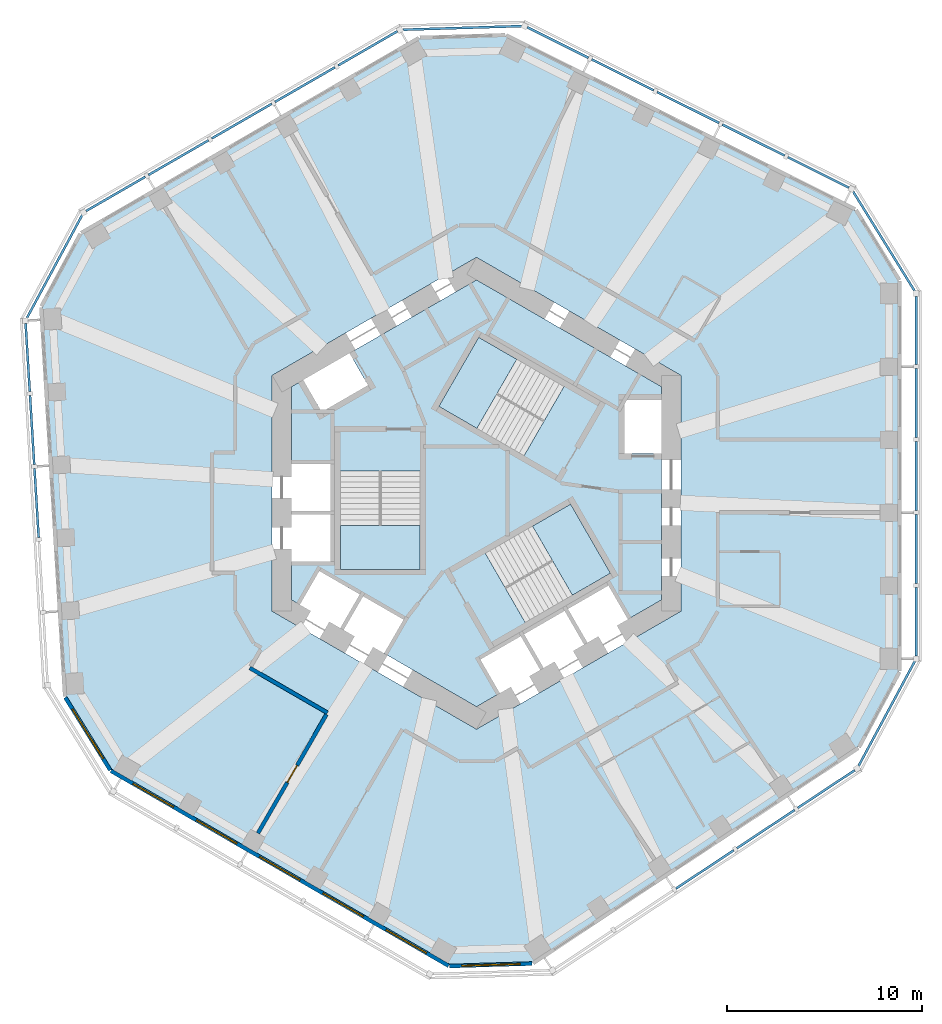
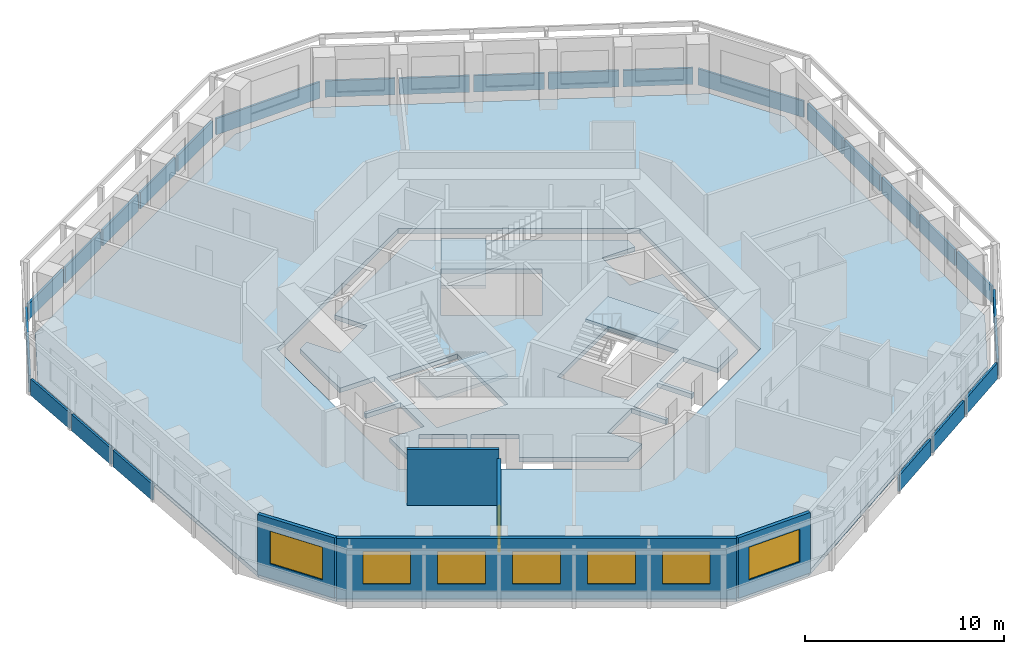
# One storey, part 3 of 10: 25 plates, 7 windows, 5 slabs, 5 walls, 1 door, 8 openings, 12 elements without a shape of their own.
"""IFC4 building model written with IfcOpenShell, lengths in metres."""

from ifc_helpers import new_model, si_unit, direction, frame, frame_2d, origin, origin_2d, place, context, subcontext, project, spatial, polyline, rectangle, outline, extrude, material, layer, layer_set, type_object, element, fill, aggregate, save


model = new_model("IFC4")

# Units and contexts
model_context = context("Model", 3, precision=1e-05, world=origin(), true_north=direction((0.0, 1.0)))
body_context = subcontext(model_context, "Body", "Model", "MODEL_VIEW")
ifc_project = project(units=[si_unit("LENGTHUNIT", "METRE"), si_unit("AREAUNIT", "SQUARE_METRE"), si_unit("VOLUMEUNIT", "CUBIC_METRE"), si_unit("PLANEANGLEUNIT", "RADIAN"), si_unit("MASSUNIT", "GRAM", prefix="KILO")], contexts=[model_context])

# Site, building, storey
site_placement = place(None, origin())
site = spatial("IfcSite", under=ifc_project, at=site_placement, CompositionType="ELEMENT")
building_placement = place(site_placement, origin())
building = spatial("IfcBuilding", under=site, at=building_placement, Name="Vanh Sen Convention Tower", CompositionType="ELEMENT")
storey_placement = place(building_placement, frame((0.0, 0.0, 191.0)))
storey = spatial("IfcBuildingStorey", under=building, at=storey_placement, Name="L47", CompositionType="ELEMENT", Elevation=191.0)

# Slabs
ifc_material_1 = material(Name="Concrete C40/50", Category="concrete")
ifc_layer_1 = layer(ifc_material_1, 0.280029296875)
ifc_layer_set_1 = layer_set([ifc_layer_1], Name="Concrete C40/50")
slab_type_1 = type_object("IfcSlabType", Name="Core slab 280", PredefinedType="FLOOR", material=ifc_layer_set_1)
slab_1_placement = place(storey_placement, frame((0.0, 0.0, -0.280029296875)))
element("IfcSlab", 1, at=slab_1_placement, inside=storey, type_object=slab_type_1, Name="Core slab L47", PredefinedType="FLOOR", context=body_context, shape_type="SweptSolid", body=[
    extrude(outline(polyline([(0.0, 10.9697265625), (9.5, 5.48486328125), (9.5, 4.800048828125), (7.60009765625, 4.800048828125), (7.60009765625, 2.050048828125), (9.5, 2.050048828125), (9.5, -5.48486328125), (7.781005859375, -6.477294921875), (6.781005859375, -4.7451171875), (4.70263671875, -5.9453125), (5.70263671875, -7.67724609375), (5.529296875, -7.777099609375), (4.529296875, -6.045166015625), (2.450927734375, -7.2451171875), (3.450927734375, -8.977294921875), (3.27783203125, -9.0771484375), (2.27783203125, -7.34521484375), (0.19921875, -8.545166015625), (1.19921875, -10.277099609375), (0.0, -10.9697265625), (-4.75, -8.227294921875), (-3.75, -6.4951171875), (-5.82861328125, -5.295166015625), (-6.82861328125, -7.027099609375), (-7.001708984375, -6.92724609375), (-6.001708984375, -5.1953125), (-8.080078125, -3.9951171875), (-9.080078125, -5.727294921875), (-9.5, -5.48486328125), (-9.5, -3.5), (-7.5, -3.5), (-7.5, -1.10009765625), (-9.5, -1.10009765625), (-9.5, -0.89990234375), (-7.5, -0.89990234375), (-7.5, 1.5), (-9.5, 1.5), (-9.5, 5.48486328125), (-8.906982421875, 5.8271484375), (-7.956787109375, 4.181884765625), (-5.575439453125, 5.556884765625), (-6.525390625, 7.2021484375), (0.0, 10.9697265625)]), holes=[polyline([(-7.0, 1.1494140625), (-7.0, -3.909912109375), (-2.89990234375, -3.909912109375), (-2.89990234375, 1.1494140625), (-7.0, 1.1494140625)]), polyline([(2.504638671875, -6.63671875), (6.88623046875, -4.107177734375), (4.836181640625, -0.556396484375), (0.45458984375, -3.086181640625), (2.504638671875, -6.63671875)]), polyline([(0.11376953125, 8.01708984375), (-1.936279296875, 4.466552734375), (2.4453125, 1.936767578125), (4.495361328125, 5.487548828125), (0.11376953125, 8.01708984375)])]), origin(), (0.0, 0.0, 1.0), 0.280029296875),
])
ifc_layer_2 = layer(ifc_material_1, 0.280029296875)
ifc_layer_set_2 = layer_set([ifc_layer_2], Name="Concrete C40/50")
slab_type_2 = type_object("IfcSlabType", Name="Floor slab 280 REI 120", PredefinedType="FLOOR", material=ifc_layer_set_2)
slab_2_placement = place(storey_placement, frame((0.0, 0.0, -0.280029296875)))
element("IfcSlab", 2, at=slab_2_placement, inside=storey, type_object=slab_type_2, Name="Floor slab L47 tower", PredefinedType="FLOOR", context=body_context, shape_type="SweptSolid", body=[
    extrude(outline(polyline([(21.699951171875, -9.15087890625), (21.699951171875, 10.91943359375), (19.454833984375, 14.5478515625), (1.492919921875, 23.503173828125), (-2.925048828125, 23.368408203125), (-20.306640625, 13.3330078125), (-22.326171875, 9.574462890625), (-21.100830078125, -10.458740234375), (-18.77490234375, -14.21728515625), (-1.393310546875, -24.25244140625), (2.871337890625, -24.122314453125), (19.60791015625, -13.04443359375), (21.699951171875, -9.15087890625)]), holes=[polyline([(0.0, 12.12451171875), (-10.5, 6.062255859375), (-10.5, -6.062255859375), (0.0, -12.12451171875), (10.5, -6.062255859375), (10.5, 6.062255859375), (0.0, 12.12451171875)])]), origin(), (0.0, 0.0, 1.0), 0.280029296875),
])

# Curtain wall, plates
ifc_material_2 = material(Name="Concrete C50/60", Category="concrete")
curtain_wall_type = type_object("IfcCurtainWallType", Name="Outer skin office zone", PredefinedType="NOTDEFINED", material=ifc_material_2)
curtain_wall_1_placement = place(storey_placement, origin())
curtain_wall_1 = element("IfcCurtainWall", 3, at=curtain_wall_1_placement, inside=storey, type_object=curtain_wall_type, Name="OUTER SKIN E L47", PredefinedType="NOTDEFINED")
ifc_layer_3 = layer(ifc_material_2, 0.1201171875)
ifc_layer_set_3 = layer_set([ifc_layer_3], Name="Concrete C50/60")
plate_type = type_object("IfcPlateType", Name="Outer skin precast screen panel 120", PredefinedType="CURTAIN_PANEL", material=ifc_layer_set_3)
plate_1_placement = place(storey_placement, frame((22.60009765625, -6.59912109375, 0.0), z_axis=(0.0, 0.0, 1.0), x_axis=(0.0, 1.0, 0.0)))
plate_1 = element("IfcPlate", 4, at=plate_1_placement, type_object=plate_type, Name="OUTER SKIN screen panel E-1", PredefinedType="CURTAIN_PANEL", context=body_context, shape_type="SweptSolid", body=[
    extrude(rectangle(XDim=3.504150390625, YDim=0.1201171875, at=origin_2d()), origin(), (0.0, 0.0, 1.0), 1.0),
])
plate_2_placement = place(storey_placement, frame((22.60009765625, -2.869873046875, 0.0), z_axis=(0.0, 0.0, 1.0), x_axis=(0.0, 1.0, 0.0)))
plate_2 = element("IfcPlate", 5, at=plate_2_placement, type_object=plate_type, Name="OUTER SKIN screen panel E-2", PredefinedType="CURTAIN_PANEL", context=body_context, shape_type="SweptSolid", body=[
    extrude(rectangle(XDim=3.55419921875, YDim=0.1201171875, at=origin_2d()), origin(), (0.0, 0.0, 1.0), 1.0),
])
plate_3_placement = place(storey_placement, frame((22.60009765625, 0.88427734375, 0.0), z_axis=(0.0, 0.0, 1.0), x_axis=(0.0, 1.0, 0.0)))
plate_3 = element("IfcPlate", 6, at=plate_3_placement, type_object=plate_type, Name="OUTER SKIN screen panel E-3", PredefinedType="CURTAIN_PANEL", context=body_context, shape_type="SweptSolid", body=[
    extrude(rectangle(XDim=3.55419921875, YDim=0.1201171875, at=origin_2d()), origin(), (0.0, 0.0, 1.0), 1.0),
])
plate_4_placement = place(storey_placement, frame((22.60009765625, 4.63818359375, 0.0), z_axis=(0.0, 0.0, 1.0), x_axis=(0.0, 1.0, 0.0)))
plate_4 = element("IfcPlate", 7, at=plate_4_placement, type_object=plate_type, Name="OUTER SKIN screen panel E-4", PredefinedType="CURTAIN_PANEL", context=body_context, shape_type="SweptSolid", body=[
    extrude(rectangle(XDim=3.55419921875, YDim=0.1201171875, at=origin_2d()), origin(), (0.0, 0.0, 1.0), 1.0),
])
plate_5_placement = place(storey_placement, frame((22.60009765625, 8.367431640625, 0.0), z_axis=(0.0, 0.0, 1.0), x_axis=(0.0, 1.0, 0.0)))
plate_5 = element("IfcPlate", 8, at=plate_5_placement, type_object=plate_type, Name="OUTER SKIN screen panel E-5", PredefinedType="CURTAIN_PANEL", context=body_context, shape_type="SweptSolid", body=[
    extrude(rectangle(XDim=3.504150390625, YDim=0.1201171875, at=origin_2d()), origin(), (0.0, 0.0, 1.0), 1.0),
])
aggregate(curtain_wall_1, [plate_1, plate_2, plate_3, plate_4, plate_5])

# Curtain wall, plate
curtain_wall_2_placement = place(storey_placement, origin())
curtain_wall_2 = element("IfcCurtainWall", 9, at=curtain_wall_2_placement, inside=storey, type_object=curtain_wall_type, Name="OUTER SKIN CH1 L47", PredefinedType="NOTDEFINED")
plate_6_placement = place(storey_placement, frame((20.937255859375, 12.956298828125, 0.0), z_axis=(0.0, 0.0, 1.0), x_axis=(-0.5262035346, 0.850358653848, 0.0)))
plate_6 = element("IfcPlate", 10, at=plate_6_placement, type_object=plate_type, Name="OUTER SKIN screen panel CH1-1", PredefinedType="CURTAIN_PANEL", context=body_context, shape_type="SweptSolid", body=[
    extrude(rectangle(XDim=6.01953125, YDim=0.1201171875, at=origin_2d()), origin(), (0.0, 0.0, 1.0), 1.0),
])
aggregate(curtain_wall_2, [plate_6])

# Curtain wall, plates
curtain_wall_3_placement = place(storey_placement, origin())
curtain_wall_3 = element("IfcCurtainWall", 11, at=curtain_wall_3_placement, inside=storey, type_object=curtain_wall_type, Name="OUTER SKIN NE L47", PredefinedType="NOTDEFINED")
plate_7_placement = place(storey_placement, frame((17.572509765625, 16.491943359375, 0.0), z_axis=(0.0, 0.0, 1.0), x_axis=(-0.894943706551, 0.446179069551, 0.0)))
plate_7 = element("IfcPlate", 12, at=plate_7_placement, type_object=plate_type, Name="OUTER SKIN screen panel NE-1", PredefinedType="CURTAIN_PANEL", context=body_context, shape_type="SweptSolid", body=[
    extrude(rectangle(XDim=3.504150390625, YDim=0.1201171875, at=origin_2d()), origin(), (0.0, 0.0, 1.0), 1.0),
])
plate_8_placement = place(storey_placement, frame((14.235107421875, 18.156005859375, 0.0), z_axis=(0.0, 0.0, 1.0), x_axis=(-0.894932804072, 0.446200937017, 0.0)))
plate_8 = element("IfcPlate", 13, at=plate_8_placement, type_object=plate_type, Name="OUTER SKIN screen panel NE-2", PredefinedType="CURTAIN_PANEL", context=body_context, shape_type="SweptSolid", body=[
    extrude(rectangle(XDim=3.55419921875, YDim=0.1201171875, at=origin_2d()), origin(), (0.0, 0.0, 1.0), 1.0),
])
plate_9_placement = place(storey_placement, frame((10.87548828125, 19.8310546875, 0.0), z_axis=(0.0, 0.0, 1.0), x_axis=(-0.894932804072, 0.446200937017, 0.0)))
plate_9 = element("IfcPlate", 14, at=plate_9_placement, type_object=plate_type, Name="OUTER SKIN screen panel NE-3", PredefinedType="CURTAIN_PANEL", context=body_context, shape_type="SweptSolid", body=[
    extrude(rectangle(XDim=3.55419921875, YDim=0.1201171875, at=origin_2d()), origin(), (0.0, 0.0, 1.0), 1.0),
])
plate_10_placement = place(storey_placement, frame((7.515625, 21.506103515625, 0.0), z_axis=(0.0, 0.0, 1.0), x_axis=(-0.894932804072, 0.446200937017, 0.0)))
plate_10 = element("IfcPlate", 15, at=plate_10_placement, type_object=plate_type, Name="OUTER SKIN screen panel NE-4", PredefinedType="CURTAIN_PANEL", context=body_context, shape_type="SweptSolid", body=[
    extrude(rectangle(XDim=3.55419921875, YDim=0.1201171875, at=origin_2d()), origin(), (0.0, 0.0, 1.0), 1.0),
])
plate_11_placement = place(storey_placement, frame((4.178466796875, 23.169921875, 0.0), z_axis=(0.0, 0.0, 1.0), x_axis=(-0.894943706551, 0.446179069551, 0.0)))
plate_11 = element("IfcPlate", 16, at=plate_11_placement, type_object=plate_type, Name="OUTER SKIN screen panel NE-5", PredefinedType="CURTAIN_PANEL", context=body_context, shape_type="SweptSolid", body=[
    extrude(rectangle(XDim=3.504150390625, YDim=0.1201171875, at=origin_2d()), origin(), (0.0, 0.0, 1.0), 1.0),
])
aggregate(curtain_wall_3, [plate_7, plate_8, plate_9, plate_10, plate_11])

# Curtain wall, plate
curtain_wall_4_placement = place(storey_placement, origin())
curtain_wall_4 = element("IfcCurtainWall", 17, at=curtain_wall_4_placement, inside=storey, type_object=curtain_wall_type, Name="OUTER SKIN CH2 L47", PredefinedType="NOTDEFINED")
plate_12_placement = place(storey_placement, frame((-0.73095703125, 23.920654296875, 0.0), z_axis=(0.0, 0.0, 1.0), x_axis=(-0.999533590837, -0.03053851321, 0.0)))
plate_12 = element("IfcPlate", 18, at=plate_12_placement, type_object=plate_type, Name="OUTER SKIN screen panel CH2-1", PredefinedType="CURTAIN_PANEL", context=body_context, shape_type="SweptSolid", body=[
    extrude(rectangle(XDim=6.1171875, YDim=0.1201171875, at=origin_2d()), origin(), (0.0, 0.0, 1.0), 1.0),
])
aggregate(curtain_wall_4, [plate_12])

# Curtain wall, plates
curtain_wall_5_placement = place(storey_placement, origin())
curtain_wall_5 = element("IfcCurtainWall", 19, at=curtain_wall_5_placement, inside=storey, type_object=curtain_wall_type, Name="OUTER SKIN NW L47", PredefinedType="NOTDEFINED")
plate_13_placement = place(storey_placement, frame((-5.585205078125, 22.87158203125, 0.0), z_axis=(0.0, 0.0, 1.0), x_axis=(-0.866035002936, -0.499983373414, 0.0)))
plate_13 = element("IfcPlate", 20, at=plate_13_placement, type_object=plate_type, Name="OUTER SKIN screen panel NW-1", PredefinedType="CURTAIN_PANEL", context=body_context, shape_type="SweptSolid", body=[
    extrude(rectangle(XDim=3.504150390625, YDim=0.1201171875, at=origin_2d()), origin(), (0.0, 0.0, 1.0), 1.0),
])
plate_14_placement = place(storey_placement, frame((-8.814697265625, 21.007080078125, 0.0), z_axis=(0.0, 0.0, 1.0), x_axis=(-0.866016677006, -0.500015114919, 0.0)))
plate_14 = element("IfcPlate", 21, at=plate_14_placement, type_object=plate_type, Name="OUTER SKIN screen panel NW-2", PredefinedType="CURTAIN_PANEL", context=body_context, shape_type="SweptSolid", body=[
    extrude(rectangle(XDim=3.55419921875, YDim=0.1201171875, at=origin_2d()), origin(), (0.0, 0.0, 1.0), 1.0),
])
plate_15_placement = place(storey_placement, frame((-12.06591796875, 19.1298828125, 0.0), z_axis=(0.0, 0.0, 1.0), x_axis=(-0.866035002936, -0.499983373414, 0.0)))
plate_15 = element("IfcPlate", 22, at=plate_15_placement, type_object=plate_type, Name="OUTER SKIN screen panel NW-3", PredefinedType="CURTAIN_PANEL", context=body_context, shape_type="SweptSolid", body=[
    extrude(rectangle(XDim=3.55419921875, YDim=0.1201171875, at=origin_2d()), origin(), (0.0, 0.0, 1.0), 1.0),
])
plate_16_placement = place(storey_placement, frame((-15.31689453125, 17.2529296875, 0.0), z_axis=(0.0, 0.0, 1.0), x_axis=(-0.866016677006, -0.500015114919, 0.0)))
plate_16 = element("IfcPlate", 23, at=plate_16_placement, type_object=plate_type, Name="OUTER SKIN screen panel NW-4", PredefinedType="CURTAIN_PANEL", context=body_context, shape_type="SweptSolid", body=[
    extrude(rectangle(XDim=3.55419921875, YDim=0.1201171875, at=origin_2d()), origin(), (0.0, 0.0, 1.0), 1.0),
])
plate_17_placement = place(storey_placement, frame((-18.54638671875, 15.388427734375, 0.0), z_axis=(0.0, 0.0, 1.0), x_axis=(-0.866035002936, -0.499983373414, 0.0)))
plate_17 = element("IfcPlate", 24, at=plate_17_placement, type_object=plate_type, Name="OUTER SKIN screen panel NW-5", PredefinedType="CURTAIN_PANEL", context=body_context, shape_type="SweptSolid", body=[
    extrude(rectangle(XDim=3.504150390625, YDim=0.1201171875, at=origin_2d()), origin(), (0.0, 0.0, 1.0), 1.0),
])
aggregate(curtain_wall_5, [plate_13, plate_14, plate_15, plate_16, plate_17])

# Curtain wall, plate
curtain_wall_6_placement = place(storey_placement, origin())
curtain_wall_6 = element("IfcCurtainWall", 25, at=curtain_wall_6_placement, inside=storey, type_object=curtain_wall_type, Name="OUTER SKIN CH3 L47", PredefinedType="NOTDEFINED")
plate_18_placement = place(storey_placement, frame((-21.689208984375, 11.654052734375, 0.0), z_axis=(0.0, 0.0, 1.0), x_axis=(-0.47331812974, -0.880891564303, 0.0)))
plate_18 = element("IfcPlate", 26, at=plate_18_placement, type_object=plate_type, Name="OUTER SKIN screen panel CH3-1", PredefinedType="CURTAIN_PANEL", context=body_context, shape_type="SweptSolid", body=[
    extrude(rectangle(XDim=6.019287109375, YDim=0.1201171875, at=origin_2d()), origin(), (0.0, 0.0, 1.0), 1.0),
])
aggregate(curtain_wall_6, [plate_18])

# Curtain wall, plates
curtain_wall_7_placement = place(storey_placement, origin())
curtain_wall_7 = element("IfcCurtainWall", 27, at=curtain_wall_7_placement, inside=storey, type_object=curtain_wall_type, Name="OUTER SKIN W L47", PredefinedType="NOTDEFINED")
plate_19_placement = place(storey_placement, frame((-23.068603515625, 6.97216796875, 0.0), z_axis=(0.0, 0.0, 1.0), x_axis=(0.061053765756, -0.998134478759, 0.0)))
plate_19 = element("IfcPlate", 28, at=plate_19_placement, type_object=plate_type, Name="OUTER SKIN screen panel W-1", PredefinedType="CURTAIN_PANEL", context=body_context, shape_type="SweptSolid", body=[
    extrude(rectangle(XDim=3.504150390625, YDim=0.1201171875, at=origin_2d()), origin(), (0.0, 0.0, 1.0), 1.0),
])
plate_20_placement = place(storey_placement, frame((-22.841064453125, 3.25, 0.0), z_axis=(0.0, 0.0, 1.0), x_axis=(0.061052023682, -0.998134585316, 0.0)))
plate_20 = element("IfcPlate", 29, at=plate_20_placement, type_object=plate_type, Name="OUTER SKIN screen panel W-2", PredefinedType="CURTAIN_PANEL", context=body_context, shape_type="SweptSolid", body=[
    extrude(rectangle(XDim=3.55419921875, YDim=0.1201171875, at=origin_2d()), origin(), (0.0, 0.0, 1.0), 1.0),
])
plate_21_placement = place(storey_placement, frame((-22.61181640625, -0.4970703125, 0.0), z_axis=(0.0, 0.0, 1.0), x_axis=(0.061053765756, -0.998134478759, 0.0)))
plate_21 = element("IfcPlate", 30, at=plate_21_placement, type_object=plate_type, Name="OUTER SKIN screen panel W-3", PredefinedType="CURTAIN_PANEL", context=body_context, shape_type="SweptSolid", body=[
    extrude(rectangle(XDim=3.55419921875, YDim=0.1201171875, at=origin_2d()), origin(), (0.0, 0.0, 1.0), 1.0),
])
aggregate(curtain_wall_7, [plate_19, plate_20, plate_21])

curtain_wall_8_placement = place(storey_placement, origin())
curtain_wall_8 = element("IfcCurtainWall", 31, at=curtain_wall_8_placement, inside=storey, type_object=curtain_wall_type, Name="OUTER SKIN SE L47", PredefinedType="NOTDEFINED")
plate_22_placement = place(storey_placement, frame((11.736328125, -19.333984375, 0.0), z_axis=(0.0, 0.0, 1.0), x_axis=(0.833877152158, 0.551950083892, 0.0)))
plate_22 = element("IfcPlate", 32, at=plate_22_placement, type_object=plate_type, Name="OUTER SKIN screen panel SE-3", PredefinedType="CURTAIN_PANEL", context=body_context, shape_type="SweptSolid", body=[
    extrude(rectangle(XDim=3.55419921875, YDim=0.1201171875, at=origin_2d()), origin(), (0.0, 0.0, 1.0), 1.0),
])
plate_23_placement = place(storey_placement, frame((14.866943359375, -17.26171875, 0.0), z_axis=(0.0, 0.0, 1.0), x_axis=(0.833889675294, 0.551931163677, 0.0)))
plate_23 = element("IfcPlate", 33, at=plate_23_placement, type_object=plate_type, Name="OUTER SKIN screen panel SE-4", PredefinedType="CURTAIN_PANEL", context=body_context, shape_type="SweptSolid", body=[
    extrude(rectangle(XDim=3.55419921875, YDim=0.1201171875, at=origin_2d()), origin(), (0.0, 0.0, 1.0), 1.0),
])
plate_24_placement = place(storey_placement, frame((17.9765625, -15.20361328125, 0.0), z_axis=(0.0, 0.0, 1.0), x_axis=(0.833889675294, 0.551931163677, 0.0)))
plate_24 = element("IfcPlate", 34, at=plate_24_placement, type_object=plate_type, Name="OUTER SKIN screen panel SE-5", PredefinedType="CURTAIN_PANEL", context=body_context, shape_type="SweptSolid", body=[
    extrude(rectangle(XDim=3.504150390625, YDim=0.1201171875, at=origin_2d()), origin(), (0.0, 0.0, 1.0), 1.0),
])
aggregate(curtain_wall_8, [plate_22, plate_23, plate_24])

# Curtain wall, plate
curtain_wall_9_placement = place(storey_placement, origin())
curtain_wall_9 = element("IfcCurtainWall", 35, at=curtain_wall_9_placement, inside=storey, type_object=curtain_wall_type, Name="OUTER SKIN CH6 L47", PredefinedType="NOTDEFINED")
plate_25_placement = place(storey_placement, frame((21.081298828125, -11.327392578125, 0.0), z_axis=(0.0, 0.0, 1.0), x_axis=(0.473321204628, 0.880889912105, 0.0)))
plate_25 = element("IfcPlate", 36, at=plate_25_placement, type_object=plate_type, Name="OUTER SKIN screen panel CH6-1", PredefinedType="CURTAIN_PANEL", context=body_context, shape_type="SweptSolid", body=[
    extrude(rectangle(XDim=6.1171875, YDim=0.1201171875, at=origin_2d()), origin(), (0.0, 0.0, 1.0), 1.0),
])
aggregate(curtain_wall_9, [plate_25])

# Stair, slab
ifc_material_3 = material(Name="Concrete C50/60", Category="concrete")
stair_type_1 = type_object("IfcStairType", Name="Exit stair ST1 22 risers at 168.2", PredefinedType="HALF_TURN_STAIR", material=ifc_material_3)
stair_1_placement = place(storey_placement, origin())
stair_1 = element("IfcStair", 37, at=stair_1_placement, inside=storey, type_object=stair_type_1, Name="Exit stair ST1 L47", PredefinedType="HALF_TURN_STAIR")
ifc_layer_4 = layer(ifc_material_1, 0.199951171875)
ifc_layer_set_4 = layer_set([ifc_layer_4], Name="Concrete C40/50")
slab_type_3 = type_object("IfcSlabType", Name="Stair landing 200", PredefinedType="LANDING", material=ifc_layer_set_4)
slab_3_placement = place(storey_placement, frame((0.0, 0.0, 1.64990234375)))
slab_3 = element("IfcSlab", 38, at=slab_3_placement, type_object=slab_type_3, Name="ST1 landing 1", PredefinedType="LANDING", context=body_context, shape_type="SweptSolid", body=[
    extrude(outline(polyline([(2.07177734375, 6.88671875), (0.11376953125, 8.01708984375), (-1.936279296875, 4.466552734375), (0.021728515625, 3.336181640625), (2.07177734375, 6.88671875)])), origin(), (0.0, 0.0, 1.0), 0.2001953125),
])
aggregate(stair_1, [slab_3])

stair_type_2 = type_object("IfcStairType", Name="Exit stair ST2 22 risers at 168.2", PredefinedType="HALF_TURN_STAIR", material=ifc_material_3)
stair_2_placement = place(storey_placement, origin())
stair_2 = element("IfcStair", 39, at=stair_2_placement, inside=storey, type_object=stair_type_2, Name="Exit stair ST2 L47", PredefinedType="HALF_TURN_STAIR")
slab_4_placement = place(storey_placement, frame((0.0, 0.0, 1.64990234375)))
slab_4 = element("IfcSlab", 40, at=slab_4_placement, type_object=slab_type_3, Name="ST2 landing 1", PredefinedType="LANDING", context=body_context, shape_type="SweptSolid", body=[
    extrude(outline(polyline([(-7.0, -1.6494140625), (-7.0, -3.909912109375), (-2.89990234375, -3.909912109375), (-2.89990234375, -1.6494140625), (-7.0, -1.6494140625)])), origin(), (0.0, 0.0, 1.0), 0.2001953125),
])
aggregate(stair_2, [slab_4])

stair_type_3 = type_object("IfcStairType", Name="Exit stair ST3 22 risers at 168.2", PredefinedType="HALF_TURN_STAIR", material=ifc_material_3)
stair_3_placement = place(storey_placement, origin())
stair_3 = element("IfcStair", 41, at=stair_3_placement, inside=storey, type_object=stair_type_3, Name="Exit stair ST3 L47", PredefinedType="HALF_TURN_STAIR")
slab_5_placement = place(storey_placement, frame((0.0, 0.0, 1.64990234375)))
slab_5 = element("IfcSlab", 42, at=slab_5_placement, type_object=slab_type_3, Name="ST3 landing 1", PredefinedType="LANDING", context=body_context, shape_type="SweptSolid", body=[
    extrude(outline(polyline([(4.92822265625, -5.237548828125), (6.88623046875, -4.107177734375), (4.836181640625, -0.556396484375), (2.87841796875, -1.686767578125), (4.92822265625, -5.237548828125)])), origin(), (0.0, 0.0, 1.0), 0.2001953125),
])
aggregate(stair_3, [slab_5])

# Wall
ifc_material_4 = material(Name="Gypsum board on steel studs with mineral wool", Category="steel")
ifc_layer_5 = layer(ifc_material_4, 0.199951171875)
ifc_layer_set_5 = layer_set([ifc_layer_5], Name="Gypsum board on steel studs with mineral wool")
wall_type_1 = type_object("IfcWallType", Name="Corridor partition wall 200", PredefinedType="PARTITIONING", material=ifc_layer_set_5)
wall_1_placement = place(storey_placement, frame((-11.651123046875, -8.978271484375, 0.0), z_axis=(0.0, 0.0, 1.0), x_axis=(0.866010893236, -0.500025132165, 0.0)))
element("IfcWall", 43, at=wall_1_placement, inside=storey, type_object=wall_type_1, Name="Corridor partition wall 200", PredefinedType="PARTITIONING", context=body_context, shape_type="SweptSolid", body=[
    extrude(rectangle(XDim=4.608154296875, YDim=0.199951171875, at=frame_2d((2.30419921875, 0.0))), origin(), (0.0, 0.0, 1.0), 3.419921875),
])

# Wall, opening, door
wall_2_placement = place(storey_placement, frame((-11.23486328125, -17.4736328125, 0.0), z_axis=(0.0, 0.0, 1.0), x_axis=(0.500009260695, 0.866020057054, 0.0)))
wall_2 = element("IfcWall", 44, at=wall_2_placement, inside=storey, type_object=wall_type_1, Name="Corridor partition wall 200", PredefinedType="PARTITIONING", context=body_context, shape_type="SweptSolid", body=[
    extrude(rectangle(XDim=7.049072265625, YDim=0.199951171875, at=frame_2d((3.5244140625, 0.0))), origin(), (0.0, 0.0, 1.0), 2.8701171875),
])
opening_1_placement = place(wall_2_placement, frame((3.0244140625, 0.0, 0.0)))
opening_1 = element("IfcOpeningElement", 45, at=opening_1_placement, cuts=wall_2, Name="Opening D47105", PredefinedType="OPENING", context=body_context, shape_type="SweptSolid", body=[
    extrude(rectangle(XDim=1.0, YDim=2.10009765625, at=frame_2d((0.5, 1.050048828125))), frame((0.0, 0.10986328125, 0.0), z_axis=(0.0, -1.0, 0.0), x_axis=(1.0, 0.0, 0.0)), (0.0, 0.0, 1.0), 0.219970703125),
])
ifc_material_5 = material(Name="Timber fire door in steel frame", Category="steel")
door_type = type_object("IfcDoorType", Name="Floor room door 1000", OperationType="SINGLE_SWING_LEFT", PredefinedType="DOOR", material=ifc_material_5)
door_placement = place(opening_1_placement, origin())
door = element("IfcDoor", 46, at=door_placement, inside=storey, type_object=door_type, Name="Meeting and amenity room door D47105", OperationType="SINGLE_SWING_LEFT", OverallHeight=2.10009765625, OverallWidth=1.0, PredefinedType="DOOR", context=body_context, shape_type="SweptSolid", body=[
    extrude(rectangle(XDim=1.0, YDim=2.10009765625, at=frame_2d((0.5, 1.050048828125))), frame((0.0, 0.02490234375, 0.0), z_axis=(0.0, -1.0, 0.0), x_axis=(1.0, 0.0, 0.0)), (0.0, 0.0, 1.0), 0.050048828125),
])
fill(opening_1, door)

# Wall, opening, window
ifc_material_6 = material(Name="Insulated lightweight infill wall")
ifc_layer_6 = layer(ifc_material_6, 0.199951171875)
ifc_layer_set_6 = layer_set([ifc_layer_6], Name="Insulated lightweight infill wall")
wall_type_2 = type_object("IfcWallType", Name="External wall 200", PredefinedType="STANDARD", material=ifc_layer_set_6)
wall_3_placement = place(storey_placement, frame((-21.13671875, -10.49560546875, 0.0), z_axis=(0.0, 0.0, 1.0), x_axis=(0.526178661629, -0.850374044786, 0.0)))
wall_3 = element("IfcWall", 47, at=wall_3_placement, inside=storey, type_object=wall_type_2, Name="External wall CH4 L47", PredefinedType="STANDARD", context=body_context, shape_type="SweptSolid", body=[
    extrude(rectangle(XDim=4.394775390625, YDim=0.199951171875, at=frame_2d((2.197265625, 0.0))), origin(), (0.0, 0.0, 1.0), 3.699951171875),
])
opening_2_placement = place(wall_3_placement, frame((0.697509765625, 0.0, 0.89990234375)))
opening_2 = element("IfcOpeningElement", 48, at=opening_2_placement, cuts=wall_3, Name="Opening WO2-CH41", PredefinedType="OPENING", context=body_context, shape_type="SweptSolid", body=[
    extrude(rectangle(XDim=3.0, YDim=2.0, at=frame_2d((1.5, 1.0))), frame((0.0, 0.10986328125, 0.0), z_axis=(0.0, -1.0, 0.0), x_axis=(1.0, 0.0, 0.0)), (0.0, 0.0, 1.0), 0.219970703125),
])
ifc_material_7 = material(Name="Aluminium frame with clear low-emissivity glass", Category="aluminium")
window_type_1 = type_object("IfcWindowType", Name="Office window 3000 x 2000", PartitioningType="SINGLE_PANEL", PredefinedType="WINDOW", material=ifc_material_7)
window_1_placement = place(opening_2_placement, origin())
window_1 = element("IfcWindow", 49, at=window_1_placement, inside=storey, type_object=window_type_1, Name="Window WO2-CH41", OverallHeight=2.0, OverallWidth=3.0, PartitioningType="SINGLE_PANEL", PredefinedType="WINDOW", context=body_context, shape_type="SweptSolid", body=[
    extrude(rectangle(XDim=3.0, YDim=2.0, at=frame_2d((1.5, 1.0))), frame((0.0, 0.030029296875, 0.0), z_axis=(0.0, -1.0, 0.0), x_axis=(1.0, 0.0, 0.0)), (0.0, 0.0, 1.0), 0.06005859375),
])
fill(opening_2, window_1)

# Wall, openings, windows
wall_4_placement = place(storey_placement, frame((-18.7890625, -14.266845703125, 0.0), z_axis=(0.0, 0.0, 1.0), x_axis=(0.866023315909, -0.500003616288, 0.0)))
wall_4 = element("IfcWall", 50, at=wall_4_placement, inside=storey, type_object=wall_type_2, Name="External wall SW L47", PredefinedType="STANDARD", context=body_context, shape_type="SweptSolid", body=[
    extrude(rectangle(XDim=20.043701171875, YDim=0.199951171875, at=frame_2d((10.02197265625, 0.0))), origin(), (0.0, 0.0, 1.0), 3.699951171875),
])
opening_3_placement = place(wall_4_placement, frame((1.314453125, 0.0, 0.89990234375)))
opening_3 = element("IfcOpeningElement", 51, at=opening_3_placement, cuts=wall_4, Name="Opening WO1-SW1", PredefinedType="OPENING", context=body_context, shape_type="SweptSolid", body=[
    extrude(rectangle(XDim=2.39990234375, YDim=2.0, at=frame_2d((1.199951171875, 1.0))), frame((0.0, 0.10986328125, 0.0), z_axis=(0.0, -1.0, 0.0), x_axis=(1.0, 0.0, 0.0)), (0.0, 0.0, 1.0), 0.219970703125),
])
opening_4_placement = place(wall_4_placement, frame((5.068603515625, 0.0, 0.89990234375)))
opening_4 = element("IfcOpeningElement", 52, at=opening_4_placement, cuts=wall_4, Name="Opening WO1-SW2", PredefinedType="OPENING", context=body_context, shape_type="SweptSolid", body=[
    extrude(rectangle(XDim=2.39990234375, YDim=2.0, at=frame_2d((1.199951171875, 1.0))), frame((0.0, 0.10986328125, 0.0), z_axis=(0.0, -1.0, 0.0), x_axis=(1.0, 0.0, 0.0)), (0.0, 0.0, 1.0), 0.219970703125),
])
opening_5_placement = place(wall_4_placement, frame((8.82275390625, 0.0, 0.89990234375)))
opening_5 = element("IfcOpeningElement", 53, at=opening_5_placement, cuts=wall_4, Name="Opening WO1-SW3", PredefinedType="OPENING", context=body_context, shape_type="SweptSolid", body=[
    extrude(rectangle(XDim=2.39990234375, YDim=2.0, at=frame_2d((1.199951171875, 1.0))), frame((0.0, 0.10986328125, 0.0), z_axis=(0.0, -1.0, 0.0), x_axis=(1.0, 0.0, 0.0)), (0.0, 0.0, 1.0), 0.219970703125),
])
opening_6_placement = place(wall_4_placement, frame((12.576904296875, 0.0, 0.89990234375)))
opening_6 = element("IfcOpeningElement", 54, at=opening_6_placement, cuts=wall_4, Name="Opening WO1-SW4", PredefinedType="OPENING", context=body_context, shape_type="SweptSolid", body=[
    extrude(rectangle(XDim=2.39990234375, YDim=2.0, at=frame_2d((1.199951171875, 1.0))), frame((0.0, 0.10986328125, 0.0), z_axis=(0.0, -1.0, 0.0), x_axis=(1.0, 0.0, 0.0)), (0.0, 0.0, 1.0), 0.219970703125),
])
opening_7_placement = place(wall_4_placement, frame((16.330810546875, 0.0, 0.89990234375)))
opening_7 = element("IfcOpeningElement", 55, at=opening_7_placement, cuts=wall_4, Name="Opening WO1-SW5", PredefinedType="OPENING", context=body_context, shape_type="SweptSolid", body=[
    extrude(rectangle(XDim=2.39990234375, YDim=2.0, at=frame_2d((1.199951171875, 1.0))), frame((0.0, 0.10986328125, 0.0), z_axis=(0.0, -1.0, 0.0), x_axis=(1.0, 0.0, 0.0)), (0.0, 0.0, 1.0), 0.219970703125),
])
window_type_2 = type_object("IfcWindowType", Name="Office window 2400 x 2000", PartitioningType="SINGLE_PANEL", PredefinedType="WINDOW", material=ifc_material_7)
window_2_placement = place(opening_3_placement, origin())
window_2 = element("IfcWindow", 56, at=window_2_placement, inside=storey, type_object=window_type_2, Name="Window WO1-SW1", OverallHeight=2.0, OverallWidth=2.39990234375, PartitioningType="SINGLE_PANEL", PredefinedType="WINDOW", context=body_context, shape_type="SweptSolid", body=[
    extrude(rectangle(XDim=2.39990234375, YDim=2.0, at=frame_2d((1.199951171875, 1.0))), frame((0.0, 0.030029296875, 0.0), z_axis=(0.0, -1.0, 0.0), x_axis=(1.0, 0.0, 0.0)), (0.0, 0.0, 1.0), 0.06005859375),
])
fill(opening_3, window_2)
window_3_placement = place(opening_4_placement, origin())
window_3 = element("IfcWindow", 57, at=window_3_placement, inside=storey, type_object=window_type_2, Name="Window WO1-SW2", OverallHeight=2.0, OverallWidth=2.39990234375, PartitioningType="SINGLE_PANEL", PredefinedType="WINDOW", context=body_context, shape_type="SweptSolid", body=[
    extrude(rectangle(XDim=2.39990234375, YDim=2.0, at=frame_2d((1.199951171875, 1.0))), frame((0.0, 0.030029296875, 0.0), z_axis=(0.0, -1.0, 0.0), x_axis=(1.0, 0.0, 0.0)), (0.0, 0.0, 1.0), 0.06005859375),
])
fill(opening_4, window_3)
window_4_placement = place(opening_5_placement, origin())
window_4 = element("IfcWindow", 58, at=window_4_placement, inside=storey, type_object=window_type_2, Name="Window WO1-SW3", OverallHeight=2.0, OverallWidth=2.39990234375, PartitioningType="SINGLE_PANEL", PredefinedType="WINDOW", context=body_context, shape_type="SweptSolid", body=[
    extrude(rectangle(XDim=2.39990234375, YDim=2.0, at=frame_2d((1.199951171875, 1.0))), frame((0.0, 0.030029296875, 0.0), z_axis=(0.0, -1.0, 0.0), x_axis=(1.0, 0.0, 0.0)), (0.0, 0.0, 1.0), 0.06005859375),
])
fill(opening_5, window_4)
window_5_placement = place(opening_6_placement, origin())
window_5 = element("IfcWindow", 59, at=window_5_placement, inside=storey, type_object=window_type_2, Name="Window WO1-SW4", OverallHeight=2.0, OverallWidth=2.39990234375, PartitioningType="SINGLE_PANEL", PredefinedType="WINDOW", context=body_context, shape_type="SweptSolid", body=[
    extrude(rectangle(XDim=2.39990234375, YDim=2.0, at=frame_2d((1.199951171875, 1.0))), frame((0.0, 0.030029296875, 0.0), z_axis=(0.0, -1.0, 0.0), x_axis=(1.0, 0.0, 0.0)), (0.0, 0.0, 1.0), 0.06005859375),
])
fill(opening_6, window_5)
window_6_placement = place(opening_7_placement, origin())
window_6 = element("IfcWindow", 60, at=window_6_placement, inside=storey, type_object=window_type_2, Name="Window WO1-SW5", OverallHeight=2.0, OverallWidth=2.39990234375, PartitioningType="SINGLE_PANEL", PredefinedType="WINDOW", context=body_context, shape_type="SweptSolid", body=[
    extrude(rectangle(XDim=2.39990234375, YDim=2.0, at=frame_2d((1.199951171875, 1.0))), frame((0.0, 0.030029296875, 0.0), z_axis=(0.0, -1.0, 0.0), x_axis=(1.0, 0.0, 0.0)), (0.0, 0.0, 1.0), 0.06005859375),
])
fill(opening_7, window_6)

# Wall, opening, window
wall_5_placement = place(storey_placement, frame((-1.377685546875, -24.302001953125, 0.0), z_axis=(0.0, 0.0, 1.0), x_axis=(0.999533857267, 0.030529791629, 0.0)))
wall_5 = element("IfcWall", 61, at=wall_5_placement, inside=storey, type_object=wall_type_2, Name="External wall CH5 L47", PredefinedType="STANDARD", context=body_context, shape_type="SweptSolid", body=[
    extrude(rectangle(XDim=4.23828125, YDim=0.199951171875, at=frame_2d((2.119140625, 0.0))), origin(), (0.0, 0.0, 1.0), 3.699951171875),
])
opening_8_placement = place(wall_5_placement, frame((0.619140625, 0.0, 0.89990234375)))
opening_8 = element("IfcOpeningElement", 62, at=opening_8_placement, cuts=wall_5, Name="Opening WO2-CH51", PredefinedType="OPENING", context=body_context, shape_type="SweptSolid", body=[
    extrude(rectangle(XDim=3.0, YDim=2.0, at=frame_2d((1.5, 1.0))), frame((0.0, 0.10986328125, 0.0), z_axis=(0.0, -1.0, 0.0), x_axis=(1.0, 0.0, 0.0)), (0.0, 0.0, 1.0), 0.219970703125),
])
window_7_placement = place(opening_8_placement, origin())
window_7 = element("IfcWindow", 63, at=window_7_placement, inside=storey, type_object=window_type_1, Name="Window WO2-CH51", OverallHeight=2.0, OverallWidth=3.0, PartitioningType="SINGLE_PANEL", PredefinedType="WINDOW", context=body_context, shape_type="SweptSolid", body=[
    extrude(rectangle(XDim=3.0, YDim=2.0, at=frame_2d((1.5, 1.0))), frame((0.0, 0.030029296875, 0.0), z_axis=(0.0, -1.0, 0.0), x_axis=(1.0, 0.0, 0.0)), (0.0, 0.0, 1.0), 0.06005859375),
])
fill(opening_8, window_7)

save(model, "model.ifc")
